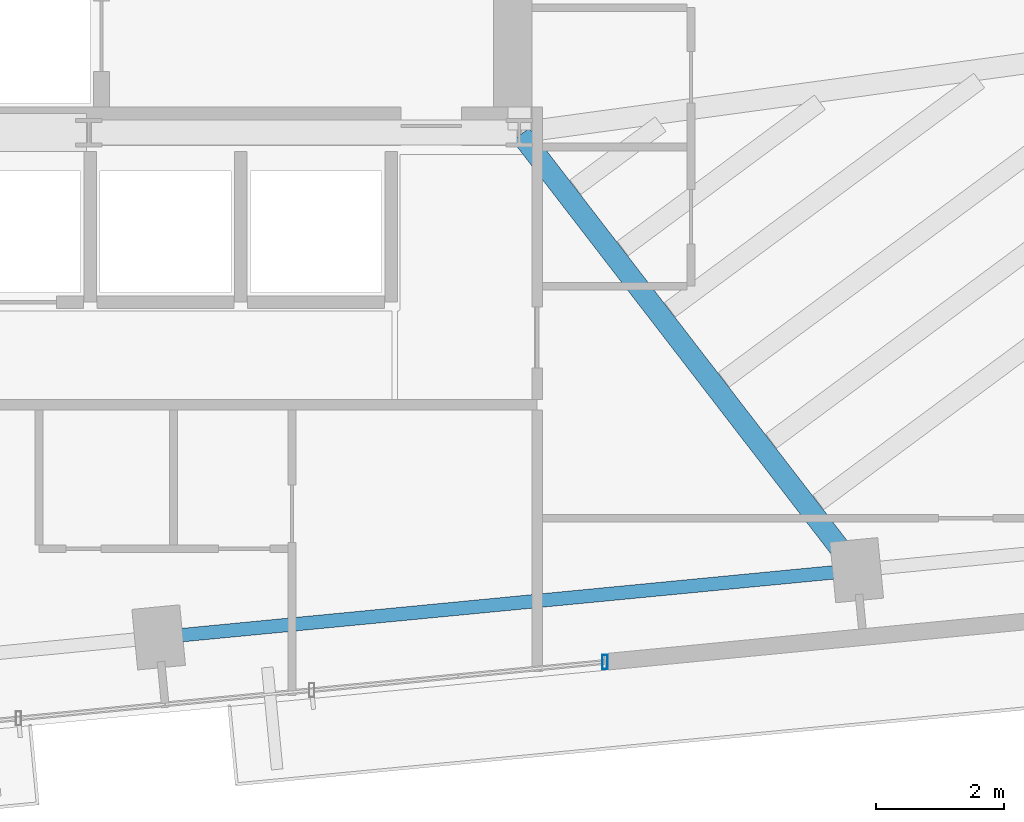
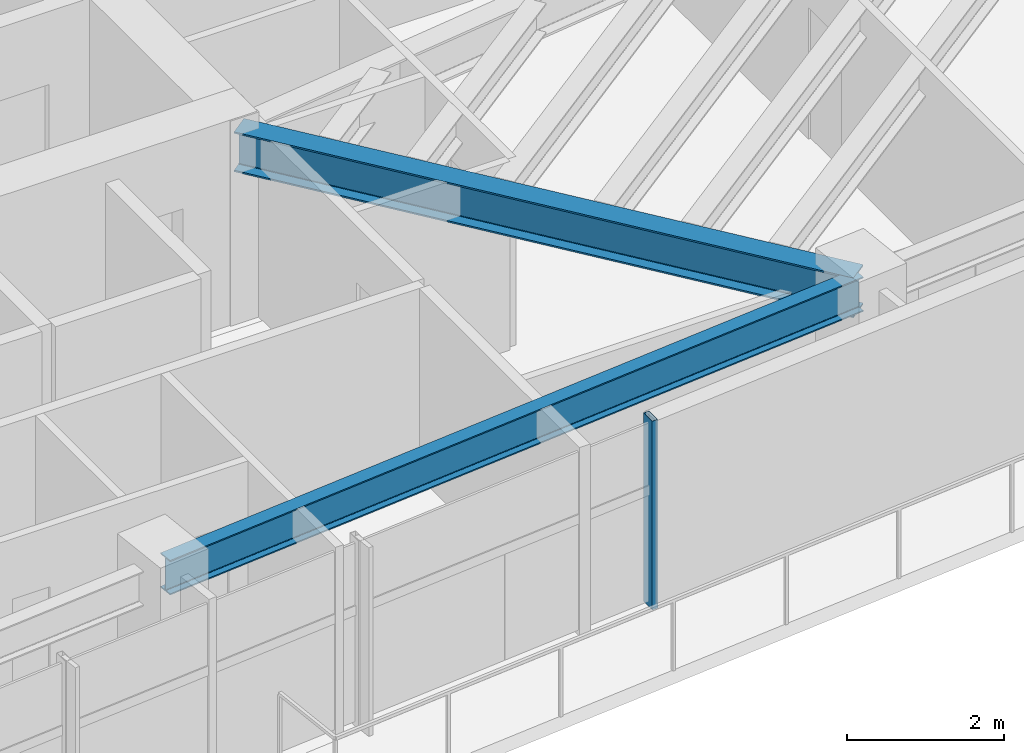
# One storey, part 8 of 18: 2 beams, 1 member, 1 element without a shape of its own.
"""IFC4 building model written with IfcOpenShell, lengths in metres."""

from ifc_helpers import new_model, si_unit, direction, frame, origin, origin_2d, place, context, subcontext, project, spatial, hollow_rectangle, i_section, extrude, source, transform, mapped, material, material_profile, profile_set, type_object, type_shapes, element, aggregate, save


model = new_model("IFC4")

# Units and contexts
model_context = context("Model", 3, precision=1e-05, world=origin(), true_north=direction((0.0, 1.0)))
body_context = subcontext(model_context, "Body", "Model", "MODEL_VIEW")
ifc_project = project(units=[si_unit("LENGTHUNIT", "METRE"), si_unit("AREAUNIT", "SQUARE_METRE"), si_unit("VOLUMEUNIT", "CUBIC_METRE"), si_unit("PLANEANGLEUNIT", "RADIAN"), si_unit("MASSUNIT", "GRAM", prefix="KILO")], contexts=[model_context])

# Site, building, storey
site_placement = place(None, origin())
site = spatial("IfcSite", under=ifc_project, at=site_placement, CompositionType="ELEMENT")
building_placement = place(site_placement, origin())
building = spatial("IfcBuilding", under=site, at=building_placement, Name="Astriad Promenade Condominiums", CompositionType="ELEMENT")
storey_placement = place(building_placement, frame((0.0, 0.0, 176.199951171875)))
storey = spatial("IfcBuildingStorey", under=building, at=storey_placement, Name="L50", CompositionType="ELEMENT", Elevation=176.199951171875)

# Beams
ifc_material_1 = material(Name="Steel ASTM A992 Grade 50", Category="steel")
ifc_material_profile_1 = material_profile(ifc_material_1, i_section(OverallWidth=0.210693359375, OverallDepth=0.53955078125, WebThickness=0.01171875, FlangeThickness=0.018798828125, FilletRadius=0.0166015625, at=origin_2d()), Name="W21X73")
ifc_profile_set_1 = profile_set([ifc_material_profile_1], Name="Steel ASTM A992 Grade 50")
beam_type_1 = type_object("IfcBeamType", Name="STEEL SPANDREL BEAM W21X73", PredefinedType="SPANDREL", material=ifc_profile_set_1)
shared_shape_1 = source(origin(), body_context, "Body", "SweptSolid", [
    extrude(i_section(OverallWidth=0.210693359375, OverallDepth=0.53955078125, WebThickness=0.01171875, FlangeThickness=0.018798828125, FilletRadius=0.0166015625, at=origin_2d()), origin(), (0.0, 0.0, 1.0), 10.8701171875),
])
type_shapes(beam_type_1, [shared_shape_1])
beam_1_placement = place(storey_placement, frame((40.008544921875, 9.520751953125, 2.670166015625), z_axis=(0.995397128983, 0.095836087217, 0.0), x_axis=(-0.095836087217, 0.995397128983, 0.0)))
element("IfcBeam", 1, at=beam_1_placement, inside=storey, type_object=beam_type_1, Name="Perimeter Spandrel Beam SP-S3-L50", PredefinedType="SPANDREL", context=body_context, shape_type="MappedRepresentation", body=[
    mapped(shared_shape_1, transform((0.0, 0.0, 0.0), scale=1.0)),
])
ifc_material_profile_2 = material_profile(ifc_material_1, i_section(OverallWidth=0.326416015625, OverallDepth=0.621826171875, WebThickness=0.015380859375, FlangeThickness=0.0244140625, FilletRadius=0.017822265625, at=origin_2d()), Name="W24X131")
ifc_profile_set_2 = profile_set([ifc_material_profile_2], Name="Steel ASTM A992 Grade 50")
beam_type_2 = type_object("IfcBeamType", Name="STEEL FLOOR GIRDER W24X131", PredefinedType="BEAM", material=ifc_profile_set_2)
shared_shape_2 = source(origin(), body_context, "Body", "SweptSolid", [
    extrude(i_section(OverallWidth=0.326416015625, OverallDepth=0.621826171875, WebThickness=0.015380859375, FlangeThickness=0.0244140625, FilletRadius=0.017822265625, at=origin_2d()), origin(), (0.0, 0.0, 1.0), 8.548583984375),
])
type_shapes(beam_type_2, [shared_shape_2])
beam_2_placement = place(storey_placement, frame((50.843994140625, 10.59814453125, 2.629150390625), z_axis=(-0.610561975536, 0.791968480452, 0.0), x_axis=(-0.791968480452, -0.610561975536, 0.0)))
element("IfcBeam", 2, at=beam_2_placement, inside=storey, type_object=beam_type_2, Name="Primary Floor Girder PG-E2-L50", PredefinedType="BEAM", context=body_context, shape_type="MappedRepresentation", body=[
    mapped(shared_shape_2, transform((0.0, 0.0, 0.0), scale=1.0)),
])

# Curtain wall, member
ifc_material_2 = material(Name="Anodised aluminium Black Dark Glass Unitised", Category="aluminium")
curtain_wall_type = type_object("IfcCurtainWallType", Name="CW-B34-DARK", PredefinedType="USERDEFINED", material=ifc_material_2)
curtain_wall_placement = place(storey_placement, origin())
curtain_wall = element("IfcCurtainWall", 3, at=curtain_wall_placement, inside=storey, type_object=curtain_wall_type, Name="CW-L50-S", ObjectType="UNITISED_CURTAIN_WALL", PredefinedType="USERDEFINED")
ifc_material_3 = material(Name="Anodised aluminium 6063-T6 Black", Category="aluminium")
ifc_material_profile_3 = material_profile(ifc_material_3, hollow_rectangle(XDim=0.0849609375, YDim=0.219970703125, WallThickness=0.0048828125, at=origin_2d()), Name="ALU-MUL-85X220")
ifc_profile_set_3 = profile_set([ifc_material_profile_3], Name="Anodised aluminium 6063-T6 Black")
member_type = type_object("IfcMemberType", Name="MUL-ALU-MUL-85X220", PredefinedType="MULLION", material=ifc_profile_set_3)
shared_shape_3 = source(origin(), body_context, "Body", "SweptSolid", [
    extrude(hollow_rectangle(XDim=0.0849609375, YDim=0.219970703125, WallThickness=0.0048828125, at=origin_2d()), origin(), (0.0, 0.0, 1.0), 2.93994140625),
])
type_shapes(member_type, [shared_shape_3])
member_placement = place(storey_placement, frame((46.9375, 9.133056640625, 0.0), z_axis=(0.0, 0.0, 1.0), x_axis=(1.0, 0.0, 0.0)))
member = element("IfcMember", 4, at=member_placement, type_object=member_type, Name="CW-L50-S-MUL-00", PredefinedType="MULLION", context=body_context, shape_type="MappedRepresentation", body=[
    mapped(shared_shape_3, transform((0.0, 0.0, 0.0), scale=1.0)),
])
aggregate(curtain_wall, [member])

save(model, "model.ifc")
